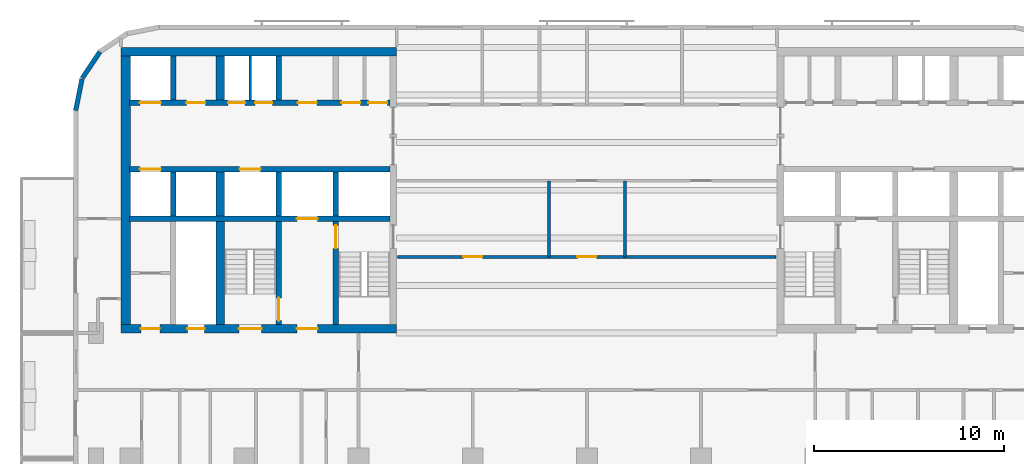
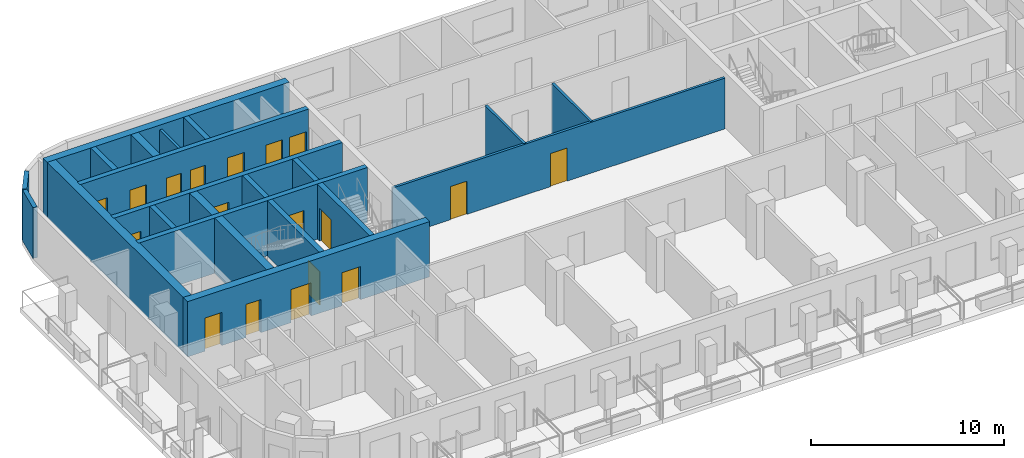
# One storey, part 4 of 12: 22 walls, 18 doors, 18 openings.
"""IFC4 building model written with IfcOpenShell, lengths in metres."""

from ifc_helpers import new_model, si_unit, direction, frame, frame_2d, origin, place, context, subcontext, project, spatial, rectangle, extrude, material, layer, layer_set, type_object, element, fill, save


model = new_model("IFC4")

# Units and contexts
model_context = context("Model", 3, precision=1e-05, world=origin(), true_north=direction((0.0, 1.0)))
body_context = subcontext(model_context, "Body", "Model", "MODEL_VIEW")
ifc_project = project(units=[si_unit("LENGTHUNIT", "METRE"), si_unit("AREAUNIT", "SQUARE_METRE"), si_unit("VOLUMEUNIT", "CUBIC_METRE"), si_unit("PLANEANGLEUNIT", "RADIAN"), si_unit("MASSUNIT", "GRAM", prefix="KILO")], contexts=[model_context])

# Site, building, storey
site_placement = place(None, origin())
site = spatial("IfcSite", under=ifc_project, at=site_placement, CompositionType="ELEMENT")
building_placement = place(site_placement, origin())
building = spatial("IfcBuilding", under=site, at=building_placement, Name="Torana Hotel and Residences", CompositionType="ELEMENT")
storey_placement = place(building_placement, frame((0.0, 0.0, 201.10009765625)))
storey = spatial("IfcBuildingStorey", under=building, at=storey_placement, Name="L52", CompositionType="ELEMENT", Elevation=201.10009765625)

# Wall, openings, doors
ifc_material_1 = material(Name="Concrete C70/85", Category="concrete")
ifc_layer_1 = layer(ifc_material_1, 0.300048828125)
ifc_layer_set_1 = layer_set([ifc_layer_1], Name="CORE WALL 300 C70/85")
wall_type_1 = type_object("IfcWallType", Name="CORE WALL 300 C70/85", PredefinedType="SHEAR", material=ifc_layer_set_1)
wall_1_placement = place(storey_placement, frame((-24.050048828125, -2.89990234375, 0.0), z_axis=(0.0, 0.0, 1.0), x_axis=(1.0, 0.0, 0.0)))
wall_1 = element("IfcWall", 1, at=wall_1_placement, inside=storey, type_object=wall_type_1, Name="Core wall W row-N", PredefinedType="SHEAR", context=body_context, shape_type="SweptSolid", body=[
    extrude(rectangle(XDim=13.699951171875, YDim=0.300048828125, at=frame_2d((6.85009765625, 0.0))), origin(), (0.0, 0.0, 1.0), 3.5),
])
opening_1_placement = place(wall_1_placement, frame((0.550048828125, 0.0, 0.0)))
opening_1 = element("IfcOpeningElement", 2, at=opening_1_placement, cuts=wall_1, Name="Opening LD", PredefinedType="OPENING", context=body_context, shape_type="SweptSolid", body=[
    extrude(rectangle(XDim=1.10009765625, YDim=2.10009765625, at=frame_2d((0.550048828125, 1.050048828125))), frame((0.0, 0.159912109375, 0.0), z_axis=(0.0, -1.0, 0.0), x_axis=(1.0, 0.0, 0.0)), (0.0, 0.0, 1.0), 0.320068359375),
])
opening_2_placement = place(wall_1_placement, frame((6.612548828125, 0.0, 0.0)))
opening_2 = element("IfcOpeningElement", 3, at=opening_2_placement, cuts=wall_1, Name="Opening L52-08", PredefinedType="OPENING", context=body_context, shape_type="SweptSolid", body=[
    extrude(rectangle(XDim=0.89990234375, YDim=2.10009765625, at=frame_2d((0.449951171875, 1.050048828125))), frame((0.0, 0.159912109375, 0.0), z_axis=(0.0, -1.0, 0.0), x_axis=(1.0, 0.0, 0.0)), (0.0, 0.0, 1.0), 0.320068359375),
])
opening_3_placement = place(wall_1_placement, frame((5.1875, 0.0, 0.0)))
opening_3 = element("IfcOpeningElement", 4, at=opening_3_placement, cuts=wall_1, Name="Opening L52-09", PredefinedType="OPENING", context=body_context, shape_type="SweptSolid", body=[
    extrude(rectangle(XDim=0.89990234375, YDim=2.10009765625, at=frame_2d((0.449951171875, 1.050048828125))), frame((0.0, 0.159912109375, 0.0), z_axis=(0.0, -1.0, 0.0), x_axis=(1.0, 0.0, 0.0)), (0.0, 0.0, 1.0), 0.320068359375),
])
opening_4_placement = place(wall_1_placement, frame((12.5625, 0.0, 0.0)))
opening_4 = element("IfcOpeningElement", 5, at=opening_4_placement, cuts=wall_1, Name="Opening L52-10", PredefinedType="OPENING", context=body_context, shape_type="SweptSolid", body=[
    extrude(rectangle(XDim=1.0, YDim=2.10009765625, at=frame_2d((0.5, 1.050048828125))), frame((0.0, 0.159912109375, 0.0), z_axis=(0.0, -1.0, 0.0), x_axis=(1.0, 0.0, 0.0)), (0.0, 0.0, 1.0), 0.320068359375),
])
opening_5_placement = place(wall_1_placement, frame((11.137451171875, 0.0, 0.0)))
opening_5 = element("IfcOpeningElement", 6, at=opening_5_placement, cuts=wall_1, Name="Opening L52-11", PredefinedType="OPENING", context=body_context, shape_type="SweptSolid", body=[
    extrude(rectangle(XDim=1.0, YDim=2.10009765625, at=frame_2d((0.5, 1.050048828125))), frame((0.0, 0.159912109375, 0.0), z_axis=(0.0, -1.0, 0.0), x_axis=(1.0, 0.0, 0.0)), (0.0, 0.0, 1.0), 0.320068359375),
])
opening_6_placement = place(wall_1_placement, frame((8.85009765625, 0.0, 0.0)))
opening_6 = element("IfcOpeningElement", 7, at=opening_6_placement, cuts=wall_1, Name="Opening L52-12", PredefinedType="OPENING", context=body_context, shape_type="SweptSolid", body=[
    extrude(rectangle(XDim=1.0, YDim=2.10009765625, at=frame_2d((0.5, 1.050048828125))), frame((0.0, 0.159912109375, 0.0), z_axis=(0.0, -1.0, 0.0), x_axis=(1.0, 0.0, 0.0)), (0.0, 0.0, 1.0), 0.320068359375),
])
opening_7_placement = place(wall_1_placement, frame((3.0, 0.0, 0.0)))
opening_7 = element("IfcOpeningElement", 8, at=opening_7_placement, cuts=wall_1, Name="Opening L52-13", PredefinedType="OPENING", context=body_context, shape_type="SweptSolid", body=[
    extrude(rectangle(XDim=1.0, YDim=2.10009765625, at=frame_2d((0.5, 1.050048828125))), frame((0.0, 0.159912109375, 0.0), z_axis=(0.0, -1.0, 0.0), x_axis=(1.0, 0.0, 0.0)), (0.0, 0.0, 1.0), 0.320068359375),
])
ifc_material_2 = material(Name="Steel S235", Category="steel")
door_type_1 = type_object("IfcDoorType", Name="CORE ROOM FIRE DOOR D14 1000x2100", OperationType="SINGLE_SWING_LEFT", PredefinedType="DOOR", material=ifc_material_2)
door_1_placement = place(opening_4_placement, origin())
door_1 = element("IfcDoor", 9, at=door_1_placement, inside=storey, type_object=door_type_1, Name="N0A door L52", OperationType="SINGLE_SWING_RIGHT", OverallHeight=2.10009765625, OverallWidth=1.0, PredefinedType="DOOR", context=body_context, shape_type="SweptSolid", body=[
    extrude(rectangle(XDim=1.0, YDim=2.10009765625, at=frame_2d((0.5, 1.050048828125))), frame((0.0, 0.02490234375, 0.0), z_axis=(0.0, -1.0, 0.0), x_axis=(1.0, 0.0, 0.0)), (0.0, 0.0, 1.0), 0.050048828125),
])
fill(opening_4, door_1)
door_2_placement = place(opening_5_placement, origin())
door_2 = element("IfcDoor", 10, at=door_2_placement, inside=storey, type_object=door_type_1, Name="N0B door L52", OperationType="SINGLE_SWING_RIGHT", OverallHeight=2.10009765625, OverallWidth=1.0, PredefinedType="DOOR", context=body_context, shape_type="SweptSolid", body=[
    extrude(rectangle(XDim=1.0, YDim=2.10009765625, at=frame_2d((0.5, 1.050048828125))), frame((0.0, 0.02490234375, 0.0), z_axis=(0.0, -1.0, 0.0), x_axis=(1.0, 0.0, 0.0)), (0.0, 0.0, 1.0), 0.050048828125),
])
fill(opening_5, door_2)
door_3_placement = place(opening_6_placement, origin())
door_3 = element("IfcDoor", 11, at=door_3_placement, inside=storey, type_object=door_type_1, Name="N1 door L52", OperationType="SINGLE_SWING_RIGHT", OverallHeight=2.10009765625, OverallWidth=1.0, PredefinedType="DOOR", context=body_context, shape_type="SweptSolid", body=[
    extrude(rectangle(XDim=1.0, YDim=2.10009765625, at=frame_2d((0.5, 1.050048828125))), frame((0.0, 0.02490234375, 0.0), z_axis=(0.0, -1.0, 0.0), x_axis=(1.0, 0.0, 0.0)), (0.0, 0.0, 1.0), 0.050048828125),
])
fill(opening_6, door_3)
door_4_placement = place(opening_7_placement, origin())
door_4 = element("IfcDoor", 12, at=door_4_placement, inside=storey, type_object=door_type_1, Name="Freed-S1 door L52", OperationType="SINGLE_SWING_RIGHT", OverallHeight=2.10009765625, OverallWidth=1.0, PredefinedType="DOOR", context=body_context, shape_type="SweptSolid", body=[
    extrude(rectangle(XDim=1.0, YDim=2.10009765625, at=frame_2d((0.5, 1.050048828125))), frame((0.0, 0.02490234375, 0.0), z_axis=(0.0, -1.0, 0.0), x_axis=(1.0, 0.0, 0.0)), (0.0, 0.0, 1.0), 0.050048828125),
])
fill(opening_7, door_4)
ifc_material_3 = material(Name="Stainless steel 316", Category="steel")
door_type_2 = type_object("IfcDoorType", Name="LIFT LANDING DOOR LD 1100x2100", OperationType="DOUBLE_DOOR_SLIDING", PredefinedType="USERDEFINED", material=ifc_material_3)
door_5_placement = place(opening_1_placement, origin())
door_5 = element("IfcDoor", 13, at=door_5_placement, inside=storey, type_object=door_type_2, Name="Lift landing door M1 L52", ObjectType="LIFT LANDING DOOR", OperationType="DOUBLE_DOOR_SLIDING", OverallHeight=2.10009765625, OverallWidth=1.10009765625, PredefinedType="USERDEFINED", context=body_context, shape_type="SweptSolid", body=[
    extrude(rectangle(XDim=1.10009765625, YDim=2.10009765625, at=frame_2d((0.550048828125, 1.050048828125))), frame((0.0, 0.02490234375, 0.0), z_axis=(0.0, -1.0, 0.0), x_axis=(1.0, 0.0, 0.0)), (0.0, 0.0, 1.0), 0.050048828125),
])
fill(opening_1, door_5)
ifc_material_4 = material(Name="Steel S235", Category="steel")
door_type_3 = type_object("IfcDoorType", Name="RISER ACCESS DOOR D5 900x2100", OperationType="SINGLE_SWING_LEFT", PredefinedType="DOOR", material=ifc_material_4)
door_6_placement = place(opening_2_placement, origin())
door_6 = element("IfcDoor", 14, at=door_6_placement, inside=storey, type_object=door_type_3, Name="N2A door L52", OperationType="SINGLE_SWING_RIGHT", OverallHeight=2.10009765625, OverallWidth=0.89990234375, PredefinedType="DOOR", context=body_context, shape_type="SweptSolid", body=[
    extrude(rectangle(XDim=0.89990234375, YDim=2.10009765625, at=frame_2d((0.449951171875, 1.050048828125))), frame((0.0, 0.02490234375, 0.0), z_axis=(0.0, -1.0, 0.0), x_axis=(1.0, 0.0, 0.0)), (0.0, 0.0, 1.0), 0.050048828125),
])
fill(opening_2, door_6)
door_7_placement = place(opening_3_placement, origin())
door_7 = element("IfcDoor", 15, at=door_7_placement, inside=storey, type_object=door_type_3, Name="N2B door L52", OperationType="SINGLE_SWING_RIGHT", OverallHeight=2.10009765625, OverallWidth=0.89990234375, PredefinedType="DOOR", context=body_context, shape_type="SweptSolid", body=[
    extrude(rectangle(XDim=0.89990234375, YDim=2.10009765625, at=frame_2d((0.449951171875, 1.050048828125))), frame((0.0, 0.02490234375, 0.0), z_axis=(0.0, -1.0, 0.0), x_axis=(1.0, 0.0, 0.0)), (0.0, 0.0, 1.0), 0.050048828125),
])
fill(opening_3, door_7)

wall_2_placement = place(storey_placement, frame((-24.050048828125, -6.39990234375, 0.0), z_axis=(0.0, 0.0, 1.0), x_axis=(1.0, 0.0, 0.0)))
wall_2 = element("IfcWall", 16, at=wall_2_placement, inside=storey, type_object=wall_type_1, Name="Core wall W row-S", PredefinedType="SHEAR", context=body_context, shape_type="SweptSolid", body=[
    extrude(rectangle(XDim=13.699951171875, YDim=0.300048828125, at=frame_2d((6.85009765625, 0.0))), origin(), (0.0, 0.0, 1.0), 3.5),
])
opening_8_placement = place(wall_2_placement, frame((0.550048828125, 0.0, 0.0)))
opening_8 = element("IfcOpeningElement", 17, at=opening_8_placement, cuts=wall_2, Name="Opening LD", PredefinedType="OPENING", context=body_context, shape_type="SweptSolid", body=[
    extrude(rectangle(XDim=1.10009765625, YDim=2.10009765625, at=frame_2d((0.550048828125, 1.050048828125))), frame((0.0, 0.159912109375, 0.0), z_axis=(0.0, -1.0, 0.0), x_axis=(1.0, 0.0, 0.0)), (0.0, 0.0, 1.0), 0.320068359375),
])
opening_9_placement = place(wall_2_placement, frame((5.800048828125, 0.0, 0.0)))
opening_9 = element("IfcOpeningElement", 18, at=opening_9_placement, cuts=wall_2, Name="Opening LD", PredefinedType="OPENING", context=body_context, shape_type="SweptSolid", body=[
    extrude(rectangle(XDim=1.10009765625, YDim=2.10009765625, at=frame_2d((0.550048828125, 1.050048828125))), frame((0.0, 0.159912109375, 0.0), z_axis=(0.0, -1.0, 0.0), x_axis=(1.0, 0.0, 0.0)), (0.0, 0.0, 1.0), 0.320068359375),
])
door_8_placement = place(opening_8_placement, origin())
door_8 = element("IfcDoor", 19, at=door_8_placement, inside=storey, type_object=door_type_2, Name="Lift landing door M2 L52", ObjectType="LIFT LANDING DOOR", OperationType="DOUBLE_DOOR_SLIDING", OverallHeight=2.10009765625, OverallWidth=1.10009765625, PredefinedType="USERDEFINED", context=body_context, shape_type="SweptSolid", body=[
    extrude(rectangle(XDim=1.10009765625, YDim=2.10009765625, at=frame_2d((0.550048828125, 1.050048828125))), frame((0.0, 0.02490234375, 0.0), z_axis=(0.0, -1.0, 0.0), x_axis=(1.0, 0.0, 0.0)), (0.0, 0.0, 1.0), 0.050048828125),
])
fill(opening_8, door_8)
door_9_placement = place(opening_9_placement, origin())
door_9 = element("IfcDoor", 20, at=door_9_placement, inside=storey, type_object=door_type_2, Name="Lift landing door SV1 L52", ObjectType="LIFT LANDING DOOR", OperationType="DOUBLE_DOOR_SLIDING", OverallHeight=2.10009765625, OverallWidth=1.10009765625, PredefinedType="USERDEFINED", context=body_context, shape_type="SweptSolid", body=[
    extrude(rectangle(XDim=1.10009765625, YDim=2.10009765625, at=frame_2d((0.550048828125, 1.050048828125))), frame((0.0, 0.02490234375, 0.0), z_axis=(0.0, -1.0, 0.0), x_axis=(1.0, 0.0, 0.0)), (0.0, 0.0, 1.0), 0.050048828125),
])
fill(opening_9, door_9)

# Wall, opening, door
wall_3_placement = place(storey_placement, frame((-24.050048828125, -9.0, 0.0), z_axis=(0.0, 0.0, 1.0), x_axis=(1.0, 0.0, 0.0)))
wall_3 = element("IfcWall", 21, at=wall_3_placement, inside=storey, type_object=wall_type_1, Name="Core wall W band", PredefinedType="SHEAR", context=body_context, shape_type="SweptSolid", body=[
    extrude(rectangle(XDim=13.699951171875, YDim=0.300048828125, at=frame_2d((6.85009765625, 0.0))), origin(), (0.0, 0.0, 1.0), 3.5),
])
opening_10_placement = place(wall_3_placement, frame((8.800048828125, 0.0, 0.0)))
opening_10 = element("IfcOpeningElement", 22, at=opening_10_placement, cuts=wall_3, Name="Opening LD", PredefinedType="OPENING", context=body_context, shape_type="SweptSolid", body=[
    extrude(rectangle(XDim=1.10009765625, YDim=2.10009765625, at=frame_2d((0.550048828125, 1.050048828125))), frame((0.0, 0.159912109375, 0.0), z_axis=(0.0, -1.0, 0.0), x_axis=(1.0, 0.0, 0.0)), (0.0, 0.0, 1.0), 0.320068359375),
])
door_10_placement = place(opening_10_placement, origin())
door_10 = element("IfcDoor", 23, at=door_10_placement, inside=storey, type_object=door_type_2, Name="Lift landing door FF1 L52", ObjectType="LIFT LANDING DOOR", OperationType="DOUBLE_DOOR_SLIDING", OverallHeight=2.10009765625, OverallWidth=1.10009765625, PredefinedType="USERDEFINED", context=body_context, shape_type="SweptSolid", body=[
    extrude(rectangle(XDim=1.10009765625, YDim=2.10009765625, at=frame_2d((0.550048828125, 1.050048828125))), frame((0.0, 0.02490234375, 0.0), z_axis=(0.0, -1.0, 0.0), x_axis=(1.0, 0.0, 0.0)), (0.0, 0.0, 1.0), 0.050048828125),
])
fill(opening_10, door_10)

# Wall
wall_4_placement = place(storey_placement, frame((-13.199951171875, -8.85009765625, 0.0), z_axis=(0.0, 0.0, 1.0), x_axis=(0.0, 1.0, 0.0)))
element("IfcWall", 24, at=wall_4_placement, inside=storey, type_object=wall_type_1, Name="Core wall W x3.05-S", PredefinedType="SHEAR", context=body_context, shape_type="SweptSolid", body=[
    extrude(rectangle(XDim=2.300048828125, YDim=0.300048828125, at=frame_2d((1.14990234375, 0.0))), origin(), (0.0, 0.0, 1.0), 3.5),
])

# Wall, opening, door
wall_5_placement = place(storey_placement, frame((-13.199951171875, -14.550048828125, 0.0), z_axis=(0.0, 0.0, 1.0), x_axis=(0.0, 1.0, 0.0)))
wall_5 = element("IfcWall", 25, at=wall_5_placement, inside=storey, type_object=wall_type_1, Name="Core wall W x3.05-band", PredefinedType="SHEAR", context=body_context, shape_type="SweptSolid", body=[
    extrude(rectangle(XDim=5.400146484375, YDim=0.300048828125, at=frame_2d((2.7001953125, 0.0))), origin(), (0.0, 0.0, 1.0), 3.5),
])
opening_11_placement = place(wall_5_placement, frame((4.0, 0.0, 0.0)))
opening_11 = element("IfcOpeningElement", 26, at=opening_11_placement, cuts=wall_5, Name="Opening L52-14", PredefinedType="OPENING", context=body_context, shape_type="SweptSolid", body=[
    extrude(rectangle(XDim=1.199951171875, YDim=2.10009765625, at=frame_2d((0.60009765625, 1.050048828125))), frame((0.0, 0.159912109375, 0.0), z_axis=(0.0, -1.0, 0.0), x_axis=(1.0, 0.0, 0.0)), (0.0, 0.0, 1.0), 0.320068359375),
])
ifc_material_5 = material(Name="Steel S235", Category="steel")
door_type_4 = type_object("IfcDoorType", Name="STAIR FIRE DOOR D3 1200x2100", OperationType="SINGLE_SWING_LEFT", PredefinedType="DOOR", material=ifc_material_5)
door_11_placement = place(opening_11_placement, frame((0.60009765625, 0.0, 0.0), z_axis=(0.0, 0.0, 1.0), x_axis=(-1.0, 0.0, 0.0)))
door_11 = element("IfcDoor", 27, at=door_11_placement, inside=storey, type_object=door_type_4, Name="Stair-A-lobby door L52", OperationType="SINGLE_SWING_RIGHT", OverallHeight=2.10009765625, OverallWidth=1.199951171875, PredefinedType="DOOR", context=body_context, shape_type="SweptSolid", body=[
    extrude(rectangle(XDim=1.199951171875, YDim=2.10009765625, at=frame_2d((0.0, 1.050048828125))), frame((0.0, -0.02490234375, 0.0), z_axis=(0.0, 1.0, 0.0), x_axis=(-1.0, 0.0, 0.0)), (0.0, 0.0, 1.0), 0.050048828125),
])
fill(opening_11, door_11)

# Walls
for number, where, z_axis, x_axis, name in (
    (28, (-16.199951171875, -2.75, 0.0), (0.0, 0.0, 1.0), (0.0, 1.0, 0.0), "Core wall W x6.05-N"),
    (29, (-16.199951171875, -8.85009765625, 0.0), (0.0, 0.0, 1.0), (0.0, 1.0, 0.0), "Core wall W x6.05-S"),
):
    element("IfcWall", number, at=place(storey_placement, frame(where, z_axis=z_axis, x_axis=x_axis)), inside=storey, type_object=wall_type_1, Name=name, PredefinedType="SHEAR", context=body_context, shape_type="SweptSolid", body=[
        extrude(rectangle(XDim=2.300048828125, YDim=0.300048828125, at=frame_2d((1.14990234375, 0.0))), origin(), (0.0, 0.0, 1.0), 3.5),
    ])

# Wall, opening, door
wall_6_placement = place(storey_placement, frame((-16.199951171875, -14.550048828125, 0.0), z_axis=(0.0, 0.0, 1.0), x_axis=(0.0, 1.0, 0.0)))
wall_6 = element("IfcWall", 30, at=wall_6_placement, inside=storey, type_object=wall_type_1, Name="Core wall W x6.05-band", PredefinedType="SHEAR", context=body_context, shape_type="SweptSolid", body=[
    extrude(rectangle(XDim=5.400146484375, YDim=0.300048828125, at=frame_2d((2.7001953125, 0.0))), origin(), (0.0, 0.0, 1.0), 3.5),
])
opening_12_placement = place(wall_6_placement, frame((0.199951171875, 0.0, 0.0)))
opening_12 = element("IfcOpeningElement", 31, at=opening_12_placement, cuts=wall_6, Name="Opening L52-15", PredefinedType="OPENING", context=body_context, shape_type="SweptSolid", body=[
    extrude(rectangle(XDim=1.199951171875, YDim=2.10009765625, at=frame_2d((0.60009765625, 1.050048828125))), frame((0.0, 0.159912109375, 0.0), z_axis=(0.0, -1.0, 0.0), x_axis=(1.0, 0.0, 0.0)), (0.0, 0.0, 1.0), 0.320068359375),
])
door_12_placement = place(opening_12_placement, origin())
door_12 = element("IfcDoor", 32, at=door_12_placement, inside=storey, type_object=door_type_4, Name="Stair-B-lobby door L52", OperationType="SINGLE_SWING_RIGHT", OverallHeight=2.10009765625, OverallWidth=1.199951171875, PredefinedType="DOOR", context=body_context, shape_type="SweptSolid", body=[
    extrude(rectangle(XDim=1.199951171875, YDim=2.10009765625, at=frame_2d((0.60009765625, 1.050048828125))), frame((0.0, 0.02490234375, 0.0), z_axis=(0.0, -1.0, 0.0), x_axis=(1.0, 0.0, 0.0)), (0.0, 0.0, 1.0), 0.050048828125),
])
fill(opening_12, door_12)

# Walls
for number, where, z_axis, x_axis, name in (
    (33, (-21.75, -2.75, 0.0), (0.0, 0.0, 1.0), (0.0, 1.0, 0.0), "Core wall W mm-N"),
    (34, (-21.75, -8.85009765625, 0.0), (0.0, 0.0, 1.0), (0.0, 1.0, 0.0), "Core wall W mm-S"),
):
    element("IfcWall", number, at=place(storey_placement, frame(where, z_axis=z_axis, x_axis=x_axis)), inside=storey, type_object=wall_type_1, Name=name, PredefinedType="SHEAR", context=body_context, shape_type="SweptSolid", body=[
        extrude(rectangle(XDim=2.300048828125, YDim=0.300048828125, at=frame_2d((1.14990234375, 0.0))), origin(), (0.0, 0.0, 1.0), 3.5),
    ])
ifc_material_6 = material(Name="Concrete C70/85", Category="concrete")
ifc_layer_2 = layer(ifc_material_6, 0.449951171875)
ifc_layer_set_2 = layer_set([ifc_layer_2], Name="CORE WALL 450 C70/85")
wall_type_2 = type_object("IfcWallType", Name="CORE WALL 450 C70/85", PredefinedType="SHEAR", material=ifc_layer_set_2)
wall_7_placement = place(storey_placement, frame((-24.5, -0.22509765625, 0.0), z_axis=(0.0, 0.0, 1.0), x_axis=(1.0, 0.0, 0.0)))
element("IfcWall", 35, at=wall_7_placement, inside=storey, type_object=wall_type_2, Name="Core wall W rear", PredefinedType="SHEAR", context=body_context, shape_type="SweptSolid", body=[
    extrude(rectangle(XDim=14.5, YDim=0.449951171875, at=frame_2d((7.25, 0.0))), origin(), (0.0, 0.0, 1.0), 3.5),
])

# Wall, openings, doors
wall_8_placement = place(storey_placement, frame((-24.5, -14.77490234375, 0.0), z_axis=(0.0, 0.0, 1.0), x_axis=(1.0, 0.0, 0.0)))
wall_8 = element("IfcWall", 36, at=wall_8_placement, inside=storey, type_object=wall_type_2, Name="Core wall W front", PredefinedType="SHEAR", context=body_context, shape_type="SweptSolid", body=[
    extrude(rectangle(XDim=14.5, YDim=0.449951171875, at=frame_2d((7.25, 0.0))), origin(), (0.0, 0.0, 1.0), 3.5),
])
opening_13_placement = place(wall_8_placement, frame((6.199951171875, 0.0, 0.0)))
opening_13 = element("IfcOpeningElement", 37, at=opening_13_placement, cuts=wall_8, Name="Opening L52-04", PredefinedType="OPENING", context=body_context, shape_type="SweptSolid", body=[
    extrude(rectangle(XDim=1.199951171875, YDim=2.10009765625, at=frame_2d((0.60009765625, 1.050048828125))), frame((0.0, 0.23486328125, 0.0), z_axis=(0.0, -1.0, 0.0), x_axis=(1.0, 0.0, 0.0)), (0.0, 0.0, 1.0), 0.469970703125),
])
opening_14_placement = place(wall_8_placement, frame((9.25, 0.0, 0.0)))
opening_14 = element("IfcOpeningElement", 38, at=opening_14_placement, cuts=wall_8, Name="Opening L52-05", PredefinedType="OPENING", context=body_context, shape_type="SweptSolid", body=[
    extrude(rectangle(XDim=1.10009765625, YDim=2.10009765625, at=frame_2d((0.550048828125, 1.050048828125))), frame((0.0, 0.23486328125, 0.0), z_axis=(0.0, -1.0, 0.0), x_axis=(1.0, 0.0, 0.0)), (0.0, 0.0, 1.0), 0.469970703125),
])
opening_15_placement = place(wall_8_placement, frame((3.5, 0.0, 0.0)))
opening_15 = element("IfcOpeningElement", 39, at=opening_15_placement, cuts=wall_8, Name="Opening L52-06", PredefinedType="OPENING", context=body_context, shape_type="SweptSolid", body=[
    extrude(rectangle(XDim=0.89990234375, YDim=2.10009765625, at=frame_2d((0.449951171875, 1.050048828125))), frame((0.0, 0.23486328125, 0.0), z_axis=(0.0, -1.0, 0.0), x_axis=(1.0, 0.0, 0.0)), (0.0, 0.0, 1.0), 0.469970703125),
])
opening_16_placement = place(wall_8_placement, frame((1.050048828125, 0.0, 0.0)))
opening_16 = element("IfcOpeningElement", 40, at=opening_16_placement, cuts=wall_8, Name="Opening L52-07", PredefinedType="OPENING", context=body_context, shape_type="SweptSolid", body=[
    extrude(rectangle(XDim=1.0, YDim=2.10009765625, at=frame_2d((0.5, 1.050048828125))), frame((0.0, 0.23486328125, 0.0), z_axis=(0.0, -1.0, 0.0), x_axis=(1.0, 0.0, 0.0)), (0.0, 0.0, 1.0), 0.469970703125),
])
door_13_placement = place(opening_16_placement, origin())
door_13 = element("IfcDoor", 41, at=door_13_placement, inside=storey, type_object=door_type_1, Name="M-Room-B door L52", OperationType="SINGLE_SWING_RIGHT", OverallHeight=2.10009765625, OverallWidth=1.0, PredefinedType="DOOR", context=body_context, shape_type="SweptSolid", body=[
    extrude(rectangle(XDim=1.0, YDim=2.10009765625, at=frame_2d((0.5, 1.050048828125))), frame((0.0, 0.02490234375, 0.0), z_axis=(0.0, -1.0, 0.0), x_axis=(1.0, 0.0, 0.0)), (0.0, 0.0, 1.0), 0.050048828125),
])
fill(opening_16, door_13)
ifc_material_7 = material(Name="Steel S235", Category="steel")
door_type_5 = type_object("IfcDoorType", Name="FIRE-FIGHTING LOBBY DOOR D8 1100x2100", OperationType="SINGLE_SWING_LEFT", PredefinedType="DOOR", material=ifc_material_7)
door_14_placement = place(opening_14_placement, origin())
door_14 = element("IfcDoor", 42, at=door_14_placement, inside=storey, type_object=door_type_5, Name="FF-lobby door L52", OperationType="SINGLE_SWING_RIGHT", OverallHeight=2.10009765625, OverallWidth=1.10009765625, PredefinedType="DOOR", context=body_context, shape_type="SweptSolid", body=[
    extrude(rectangle(XDim=1.10009765625, YDim=2.10009765625, at=frame_2d((0.550048828125, 1.050048828125))), frame((0.0, 0.02490234375, 0.0), z_axis=(0.0, -1.0, 0.0), x_axis=(1.0, 0.0, 0.0)), (0.0, 0.0, 1.0), 0.050048828125),
])
fill(opening_14, door_14)
door_15_placement = place(opening_15_placement, origin())
door_15 = element("IfcDoor", 43, at=door_15_placement, inside=storey, type_object=door_type_3, Name="M-Riser door L52", OperationType="SINGLE_SWING_RIGHT", OverallHeight=2.10009765625, OverallWidth=0.89990234375, PredefinedType="DOOR", context=body_context, shape_type="SweptSolid", body=[
    extrude(rectangle(XDim=0.89990234375, YDim=2.10009765625, at=frame_2d((0.449951171875, 1.050048828125))), frame((0.0, 0.02490234375, 0.0), z_axis=(0.0, -1.0, 0.0), x_axis=(1.0, 0.0, 0.0)), (0.0, 0.0, 1.0), 0.050048828125),
])
fill(opening_15, door_15)
door_16_placement = place(opening_13_placement, origin())
door_16 = element("IfcDoor", 44, at=door_16_placement, inside=storey, type_object=door_type_4, Name="Stair-B door L52", OperationType="SINGLE_SWING_RIGHT", OverallHeight=2.10009765625, OverallWidth=1.199951171875, PredefinedType="DOOR", context=body_context, shape_type="SweptSolid", body=[
    extrude(rectangle(XDim=1.199951171875, YDim=2.10009765625, at=frame_2d((0.60009765625, 1.050048828125))), frame((0.0, 0.02490234375, 0.0), z_axis=(0.0, -1.0, 0.0), x_axis=(1.0, 0.0, 0.0)), (0.0, 0.0, 1.0), 0.050048828125),
])
fill(opening_13, door_16)

# Walls
for number, where, z_axis, x_axis, name in (
    (45, (-19.27490234375, -2.75, 0.0), (0.0, 0.0, 1.0), (0.0, 1.0, 0.0), "Core wall W hm-N"),
    (46, (-19.27490234375, -8.85009765625, 0.0), (0.0, 0.0, 1.0), (0.0, 1.0, 0.0), "Core wall W hm-S"),
):
    element("IfcWall", number, at=place(storey_placement, frame(where, z_axis=z_axis, x_axis=x_axis)), inside=storey, type_object=wall_type_2, Name=name, PredefinedType="SHEAR", context=body_context, shape_type="SweptSolid", body=[
        extrude(rectangle(XDim=2.300048828125, YDim=0.449951171875, at=frame_2d((1.14990234375, 0.0))), origin(), (0.0, 0.0, 1.0), 3.5),
    ])
wall_9_placement = place(storey_placement, frame((-19.27490234375, -14.550048828125, 0.0), z_axis=(0.0, 0.0, 1.0), x_axis=(0.0, 1.0, 0.0)))
element("IfcWall", 47, at=wall_9_placement, inside=storey, type_object=wall_type_2, Name="Core wall W hm-band", PredefinedType="SHEAR", context=body_context, shape_type="SweptSolid", body=[
    extrude(rectangle(XDim=5.400146484375, YDim=0.449951171875, at=frame_2d((2.7001953125, 0.0))), origin(), (0.0, 0.0, 1.0), 3.5),
])
ifc_material_8 = material(Name="Concrete C70/85", Category="concrete")
ifc_layer_3 = layer(ifc_material_8, 0.5)
ifc_layer_set_3 = layer_set([ifc_layer_3], Name="CORE WALL 500 C70/85")
wall_type_3 = type_object("IfcWallType", Name="CORE WALL 500 C70/85", PredefinedType="SHEAR", material=ifc_layer_set_3)
wall_10_placement = place(storey_placement, frame((-24.25, -14.550048828125, 0.0), z_axis=(0.0, 0.0, 1.0), x_axis=(0.0, 1.0, 0.0)))
element("IfcWall", 48, at=wall_10_placement, inside=storey, type_object=wall_type_3, Name="Core wall W outer", PredefinedType="SHEAR", context=body_context, shape_type="SweptSolid", body=[
    extrude(rectangle(XDim=14.10009765625, YDim=0.5, at=frame_2d((7.050048828125, 0.0))), origin(), (0.0, 0.0, 1.0), 3.5),
])
ifc_material_9 = material(Name="Black aluminium composite panel", Category="aluminium")
ifc_layer_4 = layer(ifc_material_9, 0.00390625, Name="Cladding", Category="cladding")
ifc_material_10 = material(Name="Ventilated air cavity")
ifc_layer_5 = layer(ifc_material_10, 0.0400390625, Name="Ventilated cavity", Category="cavity")
ifc_material_11 = material(Name="Mineral wool insulation")
ifc_layer_6 = layer(ifc_material_11, 0.090087890625, Name="Insulation", Category="insulation")
ifc_material_12 = material(Name="Steel S280GD", Category="steel")
ifc_layer_7 = layer(ifc_material_12, 0.092041015625, Name="Steel stud frame", Category="structure")
ifc_material_13 = material(Name="Fire rated plasterboard")
ifc_layer_8 = layer(ifc_material_13, 0.011962890625, Name="Inner board", Category="finish")
ifc_layer_9 = layer(ifc_material_13, 0.011962890625, Name="Second board", Category="finish")
ifc_layer_set_4 = layer_set([ifc_layer_4, ifc_layer_5, ifc_layer_6, ifc_layer_7, ifc_layer_8, ifc_layer_9], Name="EW1 EXTERNAL WALL BLACK METAL CLAD 250")
wall_type_4 = type_object("IfcWallType", Name="EW1 EXTERNAL WALL BLACK METAL CLAD 250", PredefinedType="SOLIDWALL", material=ifc_layer_set_4)
wall_11_placement = place(storey_placement, frame((-25.605712890625, -0.228759765625, 0.0), z_axis=(0.0, 0.0, 1.0), x_axis=(-0.55555029066, -0.831482937015, 0.0)))
element("IfcWall", 49, at=wall_11_placement, inside=storey, type_object=wall_type_4, Name="External wall L52 e0.7", PredefinedType="SOLIDWALL", context=body_context, shape_type="SweptSolid", body=[
    extrude(rectangle(XDim=1.65625, YDim=0.25, at=frame_2d((0.828125, 0.0))), origin(), (0.0, 0.0, 1.0), 3.219970703125),
])
wall_12_placement = place(storey_placement, frame((-26.544677734375, -1.651123046875, 0.0), z_axis=(0.0, 0.0, 1.0), x_axis=(-0.194999110559, -0.980803419081, 0.0)))
element("IfcWall", 50, at=wall_12_placement, inside=storey, type_object=wall_type_4, Name="External wall L52 e0.8", PredefinedType="SOLIDWALL", context=body_context, shape_type="SweptSolid", body=[
    extrude(rectangle(XDim=1.681396484375, YDim=0.25, at=frame_2d((0.8408203125, 0.0))), origin(), (0.0, 0.0, 1.0), 3.219970703125),
])
ifc_material_14 = material(Name="Gypsum plaster")
ifc_layer_10 = layer(ifc_material_14, 0.014892578125, Name="Plaster", Category="finish")
ifc_material_15 = material(Name="Concrete blockwork", Category="masonry")
ifc_layer_11 = layer(ifc_material_15, 0.1201171875, Name="Blockwork", Category="structure")
ifc_layer_12 = layer(ifc_material_14, 0.014892578125, Name="Plaster", Category="finish")
ifc_layer_set_5 = layer_set([ifc_layer_10, ifc_layer_11, ifc_layer_12], Name="FIRE PARTITION 150 BLOCKWORK")
wall_type_5 = type_object("IfcWallType", Name="FIRE PARTITION 150 BLOCKWORK", PredefinedType="PARTITIONING", material=ifc_layer_set_5)
wall_13_placement = place(storey_placement, frame((-17.699951171875, -2.75, 0.0), z_axis=(0.0, 0.0, 1.0), x_axis=(0.0, 1.0, 0.0)))
element("IfcWall", 51, at=wall_13_placement, inside=storey, type_object=wall_type_5, Name="Core partition L52", PredefinedType="PARTITIONING", context=body_context, shape_type="SweptSolid", body=[
    extrude(rectangle(XDim=2.300048828125, YDim=0.14990234375, at=frame_2d((1.14990234375, 0.0))), origin(), (0.0, 0.0, 1.0), 3.199951171875),
])
for number, where, z_axis, x_axis, name in (
    (52, (2.0, -11.0, 0.0), (0.0, 0.0, 1.0), (0.0, 1.0, 0.0), "Partition L52"),
    (53, (-2.0, -11.0, 0.0), (0.0, 0.0, 1.0), (0.0, 1.0, 0.0), "Partition L52"),
):
    element("IfcWall", number, at=place(storey_placement, frame(where, z_axis=z_axis, x_axis=x_axis)), inside=storey, type_object=wall_type_5, Name=name, PredefinedType="PARTITIONING", context=body_context, shape_type="SweptSolid", body=[
        extrude(rectangle(XDim=4.0, YDim=0.14990234375, at=frame_2d((2.0, 0.0))), origin(), (0.0, 0.0, 1.0), 3.219970703125),
    ])

# Wall, openings, doors
wall_14_placement = place(storey_placement, frame((-9.949951171875, -11.0, 0.0), z_axis=(0.0, 0.0, 1.0), x_axis=(1.0, 0.0, 0.0)))
wall_14 = element("IfcWall", 54, at=wall_14_placement, inside=storey, type_object=wall_type_5, Name="Partition L52", PredefinedType="PARTITIONING", context=body_context, shape_type="SweptSolid", body=[
    extrude(rectangle(XDim=19.89990234375, YDim=0.14990234375, at=frame_2d((9.949951171875, 0.0))), origin(), (0.0, 0.0, 1.0), 3.219970703125),
])
opening_17_placement = place(wall_14_placement, frame((9.449951171875, 0.0, 0.0)))
opening_17 = element("IfcOpeningElement", 55, at=opening_17_placement, cuts=wall_14, Name="Opening L52-43", PredefinedType="OPENING", context=body_context, shape_type="SweptSolid", body=[
    extrude(rectangle(XDim=1.0, YDim=2.10009765625, at=frame_2d((0.5, 1.050048828125))), frame((0.0, 0.0849609375, 0.0), z_axis=(0.0, -1.0, 0.0), x_axis=(1.0, 0.0, 0.0)), (0.0, 0.0, 1.0), 0.169921875),
])
opening_18_placement = place(wall_14_placement, frame((3.449951171875, 0.0, 0.0)))
opening_18 = element("IfcOpeningElement", 56, at=opening_18_placement, cuts=wall_14, Name="Opening L52-48", PredefinedType="OPENING", context=body_context, shape_type="SweptSolid", body=[
    extrude(rectangle(XDim=1.0, YDim=2.10009765625, at=frame_2d((0.5, 1.050048828125))), frame((0.0, 0.0849609375, 0.0), z_axis=(0.0, -1.0, 0.0), x_axis=(1.0, 0.0, 0.0)), (0.0, 0.0, 1.0), 0.169921875),
])
ifc_material_16 = material(Name="Steel S235", Category="steel")
door_type_6 = type_object("IfcDoorType", Name="ENTRY FIRE DOOR D6 1000x2100", OperationType="SINGLE_SWING_LEFT", PredefinedType="DOOR", material=ifc_material_16)
door_17_placement = place(opening_17_placement, origin())
door_17 = element("IfcDoor", 57, at=door_17_placement, inside=storey, type_object=door_type_6, Name="Door L52", OperationType="SINGLE_SWING_RIGHT", OverallHeight=2.10009765625, OverallWidth=1.0, PredefinedType="DOOR", context=body_context, shape_type="SweptSolid", body=[
    extrude(rectangle(XDim=1.0, YDim=2.10009765625, at=frame_2d((0.5, 1.050048828125))), frame((0.0, 0.02490234375, 0.0), z_axis=(0.0, -1.0, 0.0), x_axis=(1.0, 0.0, 0.0)), (0.0, 0.0, 1.0), 0.050048828125),
])
fill(opening_17, door_17)
door_18_placement = place(opening_18_placement, origin())
door_18 = element("IfcDoor", 58, at=door_18_placement, inside=storey, type_object=door_type_6, Name="Door L52", OperationType="SINGLE_SWING_RIGHT", OverallHeight=2.10009765625, OverallWidth=1.0, PredefinedType="DOOR", context=body_context, shape_type="SweptSolid", body=[
    extrude(rectangle(XDim=1.0, YDim=2.10009765625, at=frame_2d((0.5, 1.050048828125))), frame((0.0, 0.02490234375, 0.0), z_axis=(0.0, -1.0, 0.0), x_axis=(1.0, 0.0, 0.0)), (0.0, 0.0, 1.0), 0.050048828125),
])
fill(opening_18, door_18)

save(model, "model.ifc")
